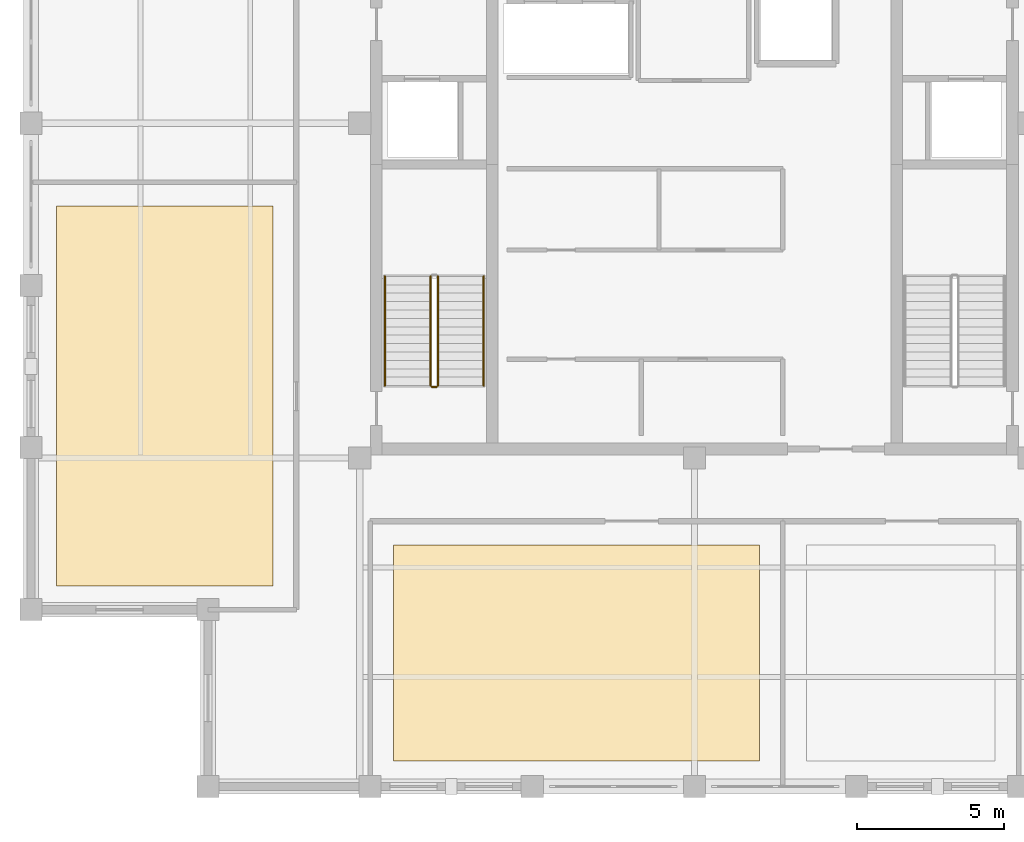
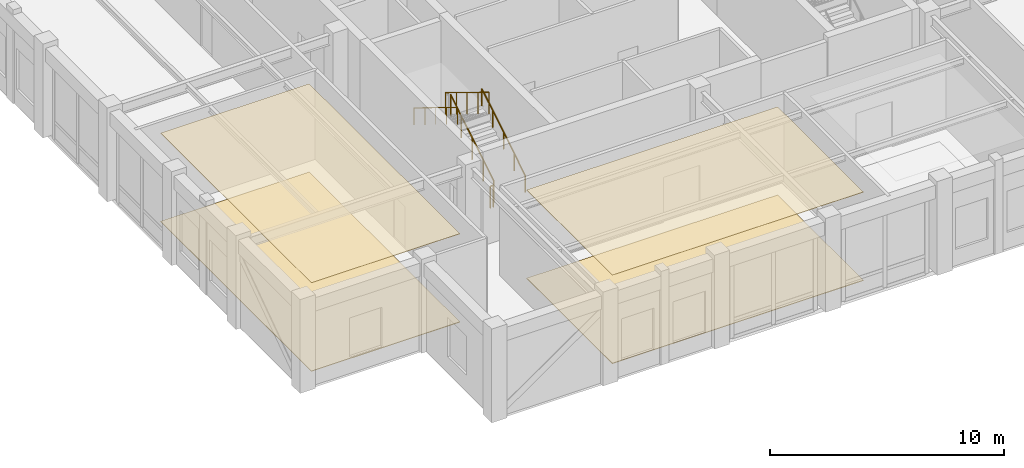
# One storey, part 11 of 13: 5 railings, 4 coverings.
"""IFC4 building model written with IfcOpenShell, lengths in metres."""

import ifcopenshell
import ifcopenshell.guid

model = None  # the IFC model being written
_history = None  # IfcOwnerHistory: only IFC2X3 demands one
_inside = {}  # id of a spatial element -> (the spatial element, [elements in it])
_under = {}  # id of a project, library or spatial element -> (it, [spatial elements below it])
_declared = {}  # id of a project -> (the project, [libraries it declares])
_typed = {}  # id of a type object -> (the type object, [elements of that type])
_made_of = {}  # id of a material, layer set ... -> (it, [elements and type objects made of it])


def new_model(schema):
    """Start an empty IFC model of exactly this schema.

    Asked for "IFC4X3", IfcOpenShell would pick the latest addendum, in which some entities
    have other attributes; the version numbers below select the first issue.
    IFC2X3 requires an IfcOwnerHistory on every rooted entity: one is made here for all.
    """
    global model, _history
    if schema == "IFC4X3":
        model = ifcopenshell.file(schema_version=(4, 3, 0, 0))
    else:
        model = ifcopenshell.file(schema=schema)
    _inside.clear()
    _under.clear()
    _declared.clear()
    _typed.clear()
    _made_of.clear()
    _history = None
    if model.schema == "IFC2X3":
        org = make("IfcOrganization", Name="unknown")
        user = make(
            "IfcPersonAndOrganization",
            ThePerson=make("IfcPerson", FamilyName="unknown"),
            TheOrganization=org,
        )
        app = make(
            "IfcApplication",
            ApplicationDeveloper=org,
            Version="unknown",
            ApplicationFullName="unknown",
            ApplicationIdentifier="unknown",
        )
        _history = make(
            "IfcOwnerHistory",
            OwningUser=user,
            OwningApplication=app,
            ChangeAction="ADDED",
            CreationDate=0,
        )
    return model


def make(cls, **values):
    """One entity of the class cls with the attributes given. An attribute that is None is left unset."""
    return model.create_entity(
        cls, **{name: value for name, value in values.items() if value is not None}
    )


def rooted(cls, **values):
    """An entity with a GlobalId (a new one), such as an element, a storey or a relation."""
    return make(cls, GlobalId=ifcopenshell.guid.new(), OwnerHistory=_history, **values)


def si_unit(unit_type, name, prefix=None):
    """IfcSIUnit, for example si_unit("LENGTHUNIT", "METRE", prefix="MILLI")."""
    return make("IfcSIUnit", UnitType=unit_type, Prefix=prefix, Name=name)


def assignment(units):
    """IfcUnitAssignment: the units of a project."""
    return None if units is None else make("IfcUnitAssignment", Units=units)


def point(xyz):
    """IfcCartesianPoint."""
    return None if xyz is None else make("IfcCartesianPoint", Coordinates=xyz)


def direction(xyz):
    """IfcDirection."""
    return None if xyz is None else make("IfcDirection", DirectionRatios=xyz)


def frame(location, z_axis=None, x_axis=None):
    """IfcAxis2Placement3D, a coordinate frame: its origin and axes. An axis left out is left unset."""
    return make(
        "IfcAxis2Placement3D",
        Location=point(location),
        Axis=direction(z_axis),
        RefDirection=direction(x_axis),
    )


def frame_2d(location, x_axis=None):
    """IfcAxis2Placement2D, a coordinate frame in the plane: its origin and x axis."""
    return make(
        "IfcAxis2Placement2D", Location=point(location), RefDirection=direction(x_axis)
    )


def origin():
    """The frame at (0, 0, 0) with its axes left unset."""
    return frame((0.0, 0.0, 0.0))


def origin_2d():
    """The frame at (0, 0) in the plane with its x axis left unset."""
    return frame_2d((0.0, 0.0))


def place(relative_to, where):
    """IfcLocalPlacement: puts the frame where relative to a parent placement (None: the world)."""
    return make(
        "IfcLocalPlacement", PlacementRelTo=relative_to, RelativePlacement=where
    )


def context(
    kind, dimensions, precision=None, world=None, true_north=None, identifier=None
):
    """IfcGeometricRepresentationContext, for example the 3D "Model" context."""
    return make(
        "IfcGeometricRepresentationContext",
        ContextIdentifier=identifier,
        ContextType=kind,
        CoordinateSpaceDimension=dimensions,
        Precision=precision,
        WorldCoordinateSystem=world,
        TrueNorth=true_north,
    )


def subcontext(parent, identifier, kind, view, scale=None):
    """IfcGeometricRepresentationSubContext, for example "Body" below "Model"."""
    return make(
        "IfcGeometricRepresentationSubContext",
        ContextIdentifier=identifier,
        ContextType=kind,
        ParentContext=parent,
        TargetScale=scale,
        TargetView=view,
    )


def project(units=None, contexts=None):
    """IfcProject with its units and contexts."""
    return rooted(
        "IfcProject",
        Name="project",
        RepresentationContexts=contexts,
        UnitsInContext=assignment(units),
    )


def spatial(cls, under=None, at=None, **own):
    """A site, building, storey or space (cls), placed at a placement, below another one or the project."""
    s = rooted(cls, ObjectPlacement=at, **own)
    if under is not None:
        _under.setdefault(under.id(), (under, []))[1].append(s)
    return s


def polyline(points):
    """IfcPolyline through the points."""
    return make("IfcPolyline", Points=[point(p) for p in points])


def profile(cls, at=None, kind="AREA", **sizes):
    """A parametric profile (cls). Its sizes go by their IFC names, for example OverallWidth=200.0."""
    return make(cls, ProfileType=kind, Position=at, **sizes)


def circle(**sizes):
    """IfcCircleProfileDef."""
    return profile("IfcCircleProfileDef", **sizes)


def outline(outer, holes=None, kind="AREA"):
    """IfcArbitraryClosedProfileDef: a profile drawn as a closed curve; with holes, ...WithVoids."""
    if holes is None:
        return make("IfcArbitraryClosedProfileDef", ProfileType=kind, OuterCurve=outer)
    return make(
        "IfcArbitraryProfileDefWithVoids",
        ProfileType=kind,
        OuterCurve=outer,
        InnerCurves=holes,
    )


def extrude(swept, where, along, depth):
    """IfcExtrudedAreaSolid: the profile swept, set in the frame where, extruded along a direction by depth."""
    return make(
        "IfcExtrudedAreaSolid",
        SweptArea=swept,
        Position=where,
        ExtrudedDirection=direction(along),
        Depth=depth,
    )


def shape(context_of_items, identifier, shape_type, items):
    """IfcShapeRepresentation: the items that make up one representation, for example the "Body"."""
    return make(
        "IfcShapeRepresentation",
        ContextOfItems=context_of_items,
        RepresentationIdentifier=identifier,
        RepresentationType=shape_type,
        Items=items,
    )


def material(Name=None, Category=None):
    """IfcMaterial."""
    return make("IfcMaterial", Name=Name, Category=Category)


def layer(
    of_material, thickness, ventilated=None, Name=None, Category=None, Priority=None
):
    """IfcMaterialLayer: one layer of a wall or slab, of a material (None: an air gap)."""
    return make(
        "IfcMaterialLayer",
        Material=of_material,
        LayerThickness=thickness,
        IsVentilated=ventilated,
        Name=Name,
        Category=Category,
        Priority=Priority,
    )


def layer_set(layers, Name=None):
    """IfcMaterialLayerSet."""
    return make("IfcMaterialLayerSet", MaterialLayers=layers, LayerSetName=Name)


def made_of(thing, what):
    """Note that an element or type object is made of a material, layer set ...; save() writes the relation."""
    if what is not None:
        _made_of.setdefault(what.id(), (what, []))[1].append(thing)
    return thing


def type_object(cls, material=None, **own):
    """A type object (cls), such as IfcWallType, which elements share."""
    return made_of(rooted(cls, **own), material)


def element(
    cls,
    number,
    at=None,
    inside=None,
    cuts=None,
    type_object=None,
    material=None,
    context=None,
    identifier="Body",
    shape_type=None,
    held_by="IfcProductDefinitionShape",
    body=None,
    shapes=None,
    **own,
):
    """One element of the class cls, such as IfcWall. Its Tag is "e" and its number.

    at: its placement. inside: the storey or other place that contains it. cuts: it is an
    opening in that element (IfcRelVoidsElement). A single representation is given by context,
    identifier, shape_type and body (its items); several are given by shapes. held_by: the class
    of the entity that holds the representations. save() writes the other relations.
    """
    e = rooted(cls, Tag="e%d" % number, ObjectPlacement=at, **own)
    if body is not None:
        shapes = [shape(context, identifier, shape_type, body)]
    if shapes is not None:
        e.Representation = make(held_by, Representations=shapes)
    if inside is not None:
        _inside.setdefault(inside.id(), (inside, []))[1].append(e)
    if cuts is not None:
        rooted(
            "IfcRelVoidsElement", RelatingBuildingElement=cuts, RelatedOpeningElement=e
        )
    if type_object is not None:
        _typed.setdefault(type_object.id(), (type_object, []))[1].append(e)
    return made_of(e, material)


def aggregate(whole, parts):
    """IfcRelAggregates: a whole, such as a stair, and the parts it consists of."""
    return rooted("IfcRelAggregates", RelatingObject=whole, RelatedObjects=parts)


def save(model, path):
    """Write the relations noted so far, then the file.

    IfcRelAggregates (storeys below a building ...), IfcRelContainedInSpatialStructure (elements
    in a storey), IfcRelDefinesByType, IfcRelAssociatesMaterial and IfcRelDeclares: one each for
    every whole, place, type object, material and project.
    """
    for whole, parts in _under.values():
        aggregate(whole, parts)
    for where, things in _inside.values():
        rooted(
            "IfcRelContainedInSpatialStructure",
            RelatedElements=things,
            RelatingStructure=where,
        )
    for kind, things in _typed.values():
        rooted("IfcRelDefinesByType", RelatedObjects=things, RelatingType=kind)
    for what, things in _made_of.values():
        rooted("IfcRelAssociatesMaterial", RelatedObjects=things, RelatingMaterial=what)
    for by, libraries in _declared.values():
        rooted("IfcRelDeclares", RelatingContext=by, RelatedDefinitions=libraries)
    model.write(path)


model = new_model("IFC4")

# Units and contexts
model_context = context("Model", 3, precision=1e-05, world=origin(), true_north=direction((0.0, 1.0)))
body_context = subcontext(model_context, "Body", "Model", "MODEL_VIEW")
ifc_project = project(units=[si_unit("LENGTHUNIT", "METRE"), si_unit("AREAUNIT", "SQUARE_METRE"), si_unit("VOLUMEUNIT", "CUBIC_METRE"), si_unit("PLANEANGLEUNIT", "RADIAN"), si_unit("MASSUNIT", "GRAM", prefix="KILO")], contexts=[model_context])

# Site, building, storey
site_placement = place(None, origin())
site = spatial("IfcSite", under=ifc_project, at=site_placement, CompositionType="ELEMENT")
building_placement = place(site_placement, origin())
building = spatial("IfcBuilding", under=site, at=building_placement, Name="Nhamokura Convention Tower", CompositionType="ELEMENT")
storey_placement = place(building_placement, frame((0.0, 0.0, 308.35009765625)))
storey = spatial("IfcBuildingStorey", under=building, at=storey_placement, Name="L76", CompositionType="ELEMENT", Elevation=308.35009765625)

# Coverings
ifc_material_1 = material(Name="Mineral-fibre acoustic ceiling tile", Category="gypsum")
ifc_layer_1 = layer(ifc_material_1, 0.02490234375)
ifc_layer_set_1 = layer_set([ifc_layer_1], Name="AcousticTileCeiling_25")
covering_type_1 = type_object("IfcCoveringType", Name="AcousticTileCeiling_25", PredefinedType="CEILING", material=ifc_layer_set_1)
covering_1_placement = place(storey_placement, frame((0.0, 0.0, 4.614990234375)))
element("IfcCovering", 1, at=covering_1_placement, inside=storey, type_object=covering_type_1, Name="L76 Suspended Ceiling 01", PredefinedType="CEILING", context=body_context, shape_type="SweptSolid", body=[
    extrude(outline(polyline([(21.800048828125, 10.360107421875), (34.199951171875, 10.360107421875), (34.199951171875, 17.699951171875), (21.800048828125, 17.699951171875), (21.800048828125, 10.360107421875)])), origin(), (0.0, 0.0, 1.0), 0.02490234375),
])
covering_2_placement = place(storey_placement, frame((0.0, 0.0, 4.614990234375)))
element("IfcCovering", 2, at=covering_2_placement, inside=storey, type_object=covering_type_1, Name="L76 Suspended Ceiling 06", PredefinedType="CEILING", context=body_context, shape_type="SweptSolid", body=[
    extrude(outline(polyline([(10.360107421875, 16.300048828125), (17.699951171875, 16.300048828125), (17.699951171875, 29.199951171875), (10.360107421875, 29.199951171875), (10.360107421875, 16.300048828125)])), origin(), (0.0, 0.0, 1.0), 0.02490234375),
])
ifc_material_2 = material(Name="Polished Sabana granite terrazzo", Category="masonry")
ifc_layer_2 = layer(ifc_material_2, 0.030029296875)
ifc_layer_set_2 = layer_set([ifc_layer_2], Name="SabanaTerrazzoFlooring_30")
covering_type_2 = type_object("IfcCoveringType", Name="SabanaTerrazzoFlooring_30", PredefinedType="FLOORING", material=ifc_layer_set_2)
covering_3_placement = place(storey_placement, origin())
element("IfcCovering", 3, at=covering_3_placement, inside=storey, type_object=covering_type_2, Name="L76 Finish Flooring 01", PredefinedType="FLOORING", context=body_context, shape_type="SweptSolid", body=[
    extrude(outline(polyline([(21.800048828125, 10.360107421875), (34.199951171875, 10.360107421875), (34.199951171875, 17.699951171875), (21.800048828125, 17.699951171875), (21.800048828125, 10.360107421875)])), origin(), (0.0, 0.0, 1.0), 0.02978515625),
])
covering_4_placement = place(storey_placement, origin())
element("IfcCovering", 4, at=covering_4_placement, inside=storey, type_object=covering_type_2, Name="L76 Finish Flooring 06", PredefinedType="FLOORING", context=body_context, shape_type="SweptSolid", body=[
    extrude(outline(polyline([(10.360107421875, 16.300048828125), (17.699951171875, 16.300048828125), (17.699951171875, 29.199951171875), (10.360107421875, 29.199951171875), (10.360107421875, 16.300048828125)])), origin(), (0.0, 0.0, 1.0), 0.02978515625),
])

# Railings
ifc_material_3 = material(Name="Anodised bronze stainless steel", Category="steel")
railing_type_1 = type_object("IfcRailingType", Name="StairWallHandrail_900", PredefinedType="HANDRAIL", material=ifc_material_3)
railing_1_placement = place(storey_placement, frame((24.85009765625, 23.10009765625, 0.1748046875)))
element("IfcRailing", 5, at=railing_1_placement, inside=storey, type_object=railing_type_1, Name="L76 ST-01 stair handrail 1", PredefinedType="HANDRAIL", context=body_context, shape_type="SweptSolid", body=[
    extrude(circle(Radius=0.02392578125, at=origin_2d()), frame((0.0, 0.0, 0.8759765625), z_axis=(0.0, 0.852145745541, 0.523304527361), x_axis=(-1.0, 0.0, 0.0)), (0.0, 0.0, 1.0), 4.34765625),
    extrude(circle(Radius=0.02099609375, at=origin_2d()), origin(), (0.0, 0.0, 1.0), 0.851806640625),
    extrude(circle(Radius=0.02099609375, at=origin_2d()), frame((0.0, 0.92626953125, 0.56884765625)), (0.0, 0.0, 1.0), 0.851806640625),
    extrude(circle(Radius=0.02099609375, at=origin_2d()), frame((0.0, 1.8525390625, 1.1376953125)), (0.0, 0.0, 1.0), 0.851806640625),
    extrude(circle(Radius=0.02099609375, at=origin_2d()), frame((0.0, 2.778564453125, 1.706298828125)), (0.0, 0.0, 1.0), 0.851806640625),
    extrude(circle(Radius=0.02099609375, at=origin_2d()), frame((0.0, 3.704833984375, 2.275146484375)), (0.0, 0.0, 1.0), 0.851806640625),
])
railing_2_placement = place(storey_placement, frame((21.5, 26.804931640625, 2.625)))
element("IfcRailing", 6, at=railing_2_placement, inside=storey, type_object=railing_type_1, Name="L76 ST-01 stair handrail 2", PredefinedType="HANDRAIL", context=body_context, shape_type="SweptSolid", body=[
    extrude(circle(Radius=0.02392578125, at=origin_2d()), frame((0.0, 0.0, 0.8759765625), z_axis=(0.0, -0.85217078641, 0.523263748782), x_axis=(1.0, 0.0, 0.0)), (0.0, 0.0, 1.0), 4.347412109375),
    extrude(circle(Radius=0.02099609375, at=origin_2d()), origin(), (0.0, 0.0, 1.0), 0.851806640625),
    extrude(circle(Radius=0.02099609375, at=origin_2d()), frame((0.0, -0.92626953125, 0.56884765625)), (0.0, 0.0, 1.0), 0.851806640625),
    extrude(circle(Radius=0.02099609375, at=origin_2d()), frame((0.0, -1.8525390625, 1.137451171875)), (0.0, 0.0, 1.0), 0.851806640625),
    extrude(circle(Radius=0.02099609375, at=origin_2d()), frame((0.0, -2.778564453125, 1.7060546875)), (0.0, 0.0, 1.0), 0.851806640625),
    extrude(circle(Radius=0.02099609375, at=origin_2d()), frame((0.0, -3.704833984375, 2.27490234375)), (0.0, 0.0, 1.0), 0.851806640625),
])
ifc_material_4 = material(Name="Painted tubular steel", Category="steel")
railing_type_2 = type_object("IfcRailingType", Name="StairWellGuardrail_1150", PredefinedType="GUARDRAIL", material=ifc_material_4)
railing_3_placement = place(storey_placement, frame((23.300048828125, 23.10009765625, 0.1748046875)))
element("IfcRailing", 7, at=railing_3_placement, inside=storey, type_object=railing_type_2, Name="L76 ST-01 stair guard 1", PredefinedType="GUARDRAIL", context=body_context, shape_type="SweptSolid", body=[
    extrude(circle(Radius=0.02392578125, at=origin_2d()), frame((0.0, 0.0, 1.1259765625), z_axis=(0.0, 0.852145745541, 0.523304527361), x_axis=(-1.0, 0.0, 0.0)), (0.0, 0.0, 1.0), 4.34765625),
    extrude(circle(Radius=0.02099609375, at=origin_2d()), origin(), (0.0, 0.0, 1.0), 1.101806640625),
    extrude(circle(Radius=0.02099609375, at=origin_2d()), frame((0.0, 0.92626953125, 0.56884765625)), (0.0, 0.0, 1.0), 1.101806640625),
    extrude(circle(Radius=0.02099609375, at=origin_2d()), frame((0.0, 1.8525390625, 1.1376953125)), (0.0, 0.0, 1.0), 1.101806640625),
    extrude(circle(Radius=0.02099609375, at=origin_2d()), frame((0.0, 2.778564453125, 1.706298828125)), (0.0, 0.0, 1.0), 1.101806640625),
    extrude(circle(Radius=0.02099609375, at=origin_2d()), frame((0.0, 3.704833984375, 2.275146484375)), (0.0, 0.0, 1.0), 1.101806640625),
])
railing_4_placement = place(storey_placement, frame((23.050048828125, 26.804931640625, 2.625)))
element("IfcRailing", 8, at=railing_4_placement, inside=storey, type_object=railing_type_2, Name="L76 ST-01 stair guard 3", PredefinedType="GUARDRAIL", context=body_context, shape_type="SweptSolid", body=[
    extrude(circle(Radius=0.02392578125, at=origin_2d()), frame((0.0, 0.0, 1.1259765625), z_axis=(0.0, -0.85217078641, 0.523263748782), x_axis=(1.0, 0.0, 0.0)), (0.0, 0.0, 1.0), 4.347412109375),
    extrude(circle(Radius=0.02099609375, at=origin_2d()), origin(), (0.0, 0.0, 1.0), 1.101806640625),
    extrude(circle(Radius=0.02099609375, at=origin_2d()), frame((0.0, -0.92626953125, 0.56884765625)), (0.0, 0.0, 1.0), 1.101806640625),
    extrude(circle(Radius=0.02099609375, at=origin_2d()), frame((0.0, -1.8525390625, 1.137451171875)), (0.0, 0.0, 1.0), 1.101806640625),
    extrude(circle(Radius=0.02099609375, at=origin_2d()), frame((0.0, -2.778564453125, 1.7060546875)), (0.0, 0.0, 1.0), 1.101806640625),
    extrude(circle(Radius=0.02099609375, at=origin_2d()), frame((0.0, -3.704833984375, 2.27490234375)), (0.0, 0.0, 1.0), 1.101806640625),
])
railing_5_placement = place(storey_placement, frame((23.25, 23.050048828125, 0.0)))
element("IfcRailing", 9, at=railing_5_placement, inside=storey, type_object=railing_type_2, Name="L76 ST-01 stair guard 4", PredefinedType="GUARDRAIL", context=body_context, shape_type="SweptSolid", body=[
    extrude(circle(Radius=0.02392578125, at=origin_2d()), frame((0.0, 0.0, 1.1259765625), z_axis=(-1.0, 0.0, 0.0), x_axis=(0.0, -1.0, 0.0)), (0.0, 0.0, 1.0), 0.14990234375),
    extrude(circle(Radius=0.02099609375, at=origin_2d()), origin(), (0.0, 0.0, 1.0), 1.101806640625),
    extrude(circle(Radius=0.02099609375, at=origin_2d()), frame((-0.14990234375, 0.0, 0.0)), (0.0, 0.0, 1.0), 1.101806640625),
])

save(model, "model.ifc")
